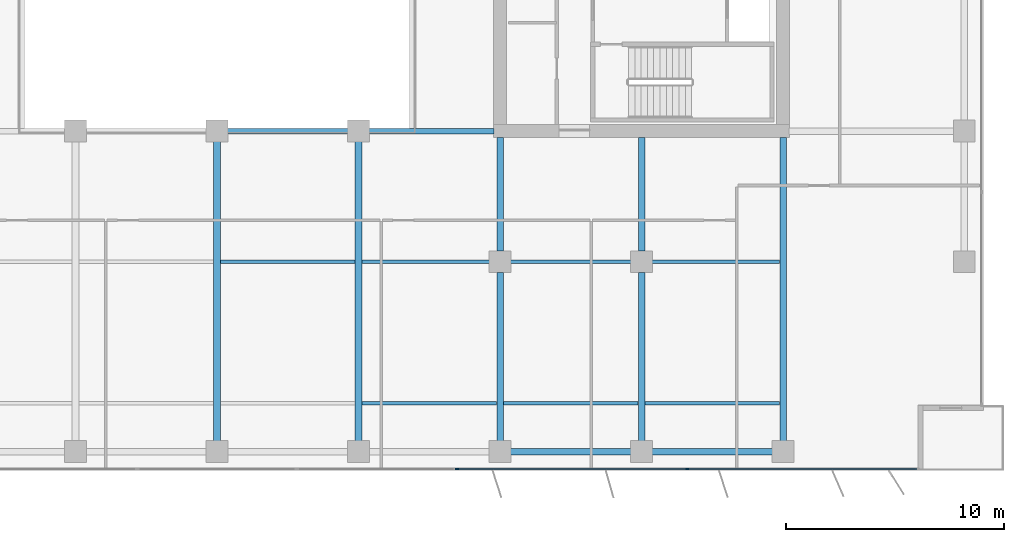
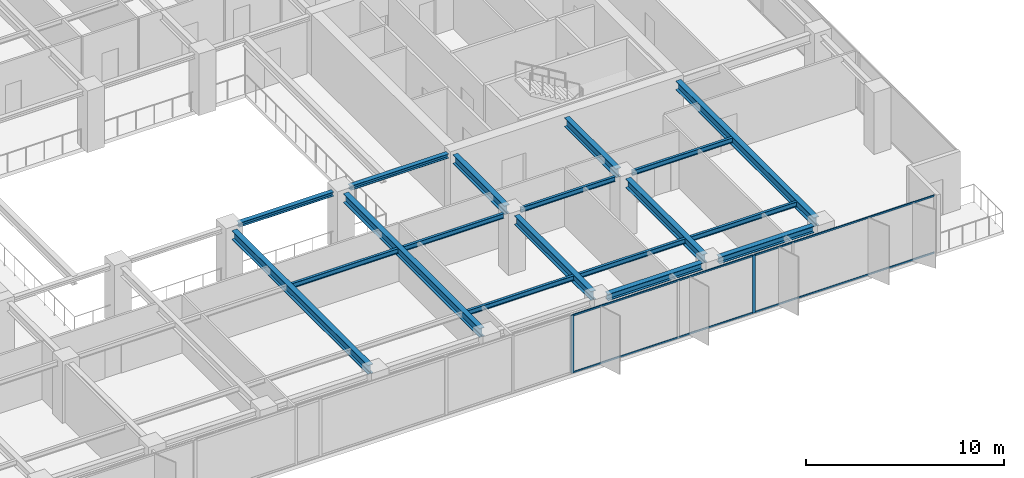
# One storey, part 6 of 22: 18 beams, 6 members, 1 element without a shape of its own.
"""IFC4 building model written with IfcOpenShell, lengths in metres."""

import ifcopenshell
import ifcopenshell.guid

model = None  # the IFC model being written
_history = None  # IfcOwnerHistory: only IFC2X3 demands one
_inside = {}  # id of a spatial element -> (the spatial element, [elements in it])
_under = {}  # id of a project, library or spatial element -> (it, [spatial elements below it])
_declared = {}  # id of a project -> (the project, [libraries it declares])
_typed = {}  # id of a type object -> (the type object, [elements of that type])
_made_of = {}  # id of a material, layer set ... -> (it, [elements and type objects made of it])


def new_model(schema):
    """Start an empty IFC model of exactly this schema.

    Asked for "IFC4X3", IfcOpenShell would pick the latest addendum, in which some entities
    have other attributes; the version numbers below select the first issue.
    IFC2X3 requires an IfcOwnerHistory on every rooted entity: one is made here for all.
    """
    global model, _history
    if schema == "IFC4X3":
        model = ifcopenshell.file(schema_version=(4, 3, 0, 0))
    else:
        model = ifcopenshell.file(schema=schema)
    _inside.clear()
    _under.clear()
    _declared.clear()
    _typed.clear()
    _made_of.clear()
    _history = None
    if model.schema == "IFC2X3":
        org = make("IfcOrganization", Name="unknown")
        user = make(
            "IfcPersonAndOrganization",
            ThePerson=make("IfcPerson", FamilyName="unknown"),
            TheOrganization=org,
        )
        app = make(
            "IfcApplication",
            ApplicationDeveloper=org,
            Version="unknown",
            ApplicationFullName="unknown",
            ApplicationIdentifier="unknown",
        )
        _history = make(
            "IfcOwnerHistory",
            OwningUser=user,
            OwningApplication=app,
            ChangeAction="ADDED",
            CreationDate=0,
        )
    return model


def make(cls, **values):
    """One entity of the class cls with the attributes given. An attribute that is None is left unset."""
    return model.create_entity(
        cls, **{name: value for name, value in values.items() if value is not None}
    )


def rooted(cls, **values):
    """An entity with a GlobalId (a new one), such as an element, a storey or a relation."""
    return make(cls, GlobalId=ifcopenshell.guid.new(), OwnerHistory=_history, **values)


def si_unit(unit_type, name, prefix=None):
    """IfcSIUnit, for example si_unit("LENGTHUNIT", "METRE", prefix="MILLI")."""
    return make("IfcSIUnit", UnitType=unit_type, Prefix=prefix, Name=name)


def assignment(units):
    """IfcUnitAssignment: the units of a project."""
    return None if units is None else make("IfcUnitAssignment", Units=units)


def point(xyz):
    """IfcCartesianPoint."""
    return None if xyz is None else make("IfcCartesianPoint", Coordinates=xyz)


def direction(xyz):
    """IfcDirection."""
    return None if xyz is None else make("IfcDirection", DirectionRatios=xyz)


def frame(location, z_axis=None, x_axis=None):
    """IfcAxis2Placement3D, a coordinate frame: its origin and axes. An axis left out is left unset."""
    return make(
        "IfcAxis2Placement3D",
        Location=point(location),
        Axis=direction(z_axis),
        RefDirection=direction(x_axis),
    )


def frame_2d(location, x_axis=None):
    """IfcAxis2Placement2D, a coordinate frame in the plane: its origin and x axis."""
    return make(
        "IfcAxis2Placement2D", Location=point(location), RefDirection=direction(x_axis)
    )


def origin():
    """The frame at (0, 0, 0) with its axes left unset."""
    return frame((0.0, 0.0, 0.0))


def origin_2d():
    """The frame at (0, 0) in the plane with its x axis left unset."""
    return frame_2d((0.0, 0.0))


def place(relative_to, where):
    """IfcLocalPlacement: puts the frame where relative to a parent placement (None: the world)."""
    return make(
        "IfcLocalPlacement", PlacementRelTo=relative_to, RelativePlacement=where
    )


def context(
    kind, dimensions, precision=None, world=None, true_north=None, identifier=None
):
    """IfcGeometricRepresentationContext, for example the 3D "Model" context."""
    return make(
        "IfcGeometricRepresentationContext",
        ContextIdentifier=identifier,
        ContextType=kind,
        CoordinateSpaceDimension=dimensions,
        Precision=precision,
        WorldCoordinateSystem=world,
        TrueNorth=true_north,
    )


def subcontext(parent, identifier, kind, view, scale=None):
    """IfcGeometricRepresentationSubContext, for example "Body" below "Model"."""
    return make(
        "IfcGeometricRepresentationSubContext",
        ContextIdentifier=identifier,
        ContextType=kind,
        ParentContext=parent,
        TargetScale=scale,
        TargetView=view,
    )


def project(units=None, contexts=None):
    """IfcProject with its units and contexts."""
    return rooted(
        "IfcProject",
        Name="project",
        RepresentationContexts=contexts,
        UnitsInContext=assignment(units),
    )


def spatial(cls, under=None, at=None, **own):
    """A site, building, storey or space (cls), placed at a placement, below another one or the project."""
    s = rooted(cls, ObjectPlacement=at, **own)
    if under is not None:
        _under.setdefault(under.id(), (under, []))[1].append(s)
    return s


def profile(cls, at=None, kind="AREA", **sizes):
    """A parametric profile (cls). Its sizes go by their IFC names, for example OverallWidth=200.0."""
    return make(cls, ProfileType=kind, Position=at, **sizes)


def rectangle(**sizes):
    """IfcRectangleProfileDef."""
    return profile("IfcRectangleProfileDef", **sizes)


def i_section(**sizes):
    """IfcIShapeProfileDef."""
    return profile("IfcIShapeProfileDef", **sizes)


def extrude(swept, where, along, depth):
    """IfcExtrudedAreaSolid: the profile swept, set in the frame where, extruded along a direction by depth."""
    return make(
        "IfcExtrudedAreaSolid",
        SweptArea=swept,
        Position=where,
        ExtrudedDirection=direction(along),
        Depth=depth,
    )


def shape(context_of_items, identifier, shape_type, items):
    """IfcShapeRepresentation: the items that make up one representation, for example the "Body"."""
    return make(
        "IfcShapeRepresentation",
        ContextOfItems=context_of_items,
        RepresentationIdentifier=identifier,
        RepresentationType=shape_type,
        Items=items,
    )


def material(Name=None, Category=None):
    """IfcMaterial."""
    return make("IfcMaterial", Name=Name, Category=Category)


def layer(
    of_material, thickness, ventilated=None, Name=None, Category=None, Priority=None
):
    """IfcMaterialLayer: one layer of a wall or slab, of a material (None: an air gap)."""
    return make(
        "IfcMaterialLayer",
        Material=of_material,
        LayerThickness=thickness,
        IsVentilated=ventilated,
        Name=Name,
        Category=Category,
        Priority=Priority,
    )


def layer_set(layers, Name=None):
    """IfcMaterialLayerSet."""
    return make("IfcMaterialLayerSet", MaterialLayers=layers, LayerSetName=Name)


def material_profile(
    of_material, cross_section, Name=None, Category=None, Priority=None
):
    """IfcMaterialProfile: a cross section and its material."""
    return make(
        "IfcMaterialProfile",
        Name=Name,
        Material=of_material,
        Profile=cross_section,
        Priority=Priority,
        Category=Category,
    )


def profile_set(profiles, Name=None, composite=None):
    """IfcMaterialProfileSet."""
    return make(
        "IfcMaterialProfileSet",
        Name=Name,
        MaterialProfiles=profiles,
        CompositeProfile=composite,
    )


def made_of(thing, what):
    """Note that an element or type object is made of a material, layer set ...; save() writes the relation."""
    if what is not None:
        _made_of.setdefault(what.id(), (what, []))[1].append(thing)
    return thing


def type_object(cls, material=None, **own):
    """A type object (cls), such as IfcWallType, which elements share."""
    return made_of(rooted(cls, **own), material)


def element(
    cls,
    number,
    at=None,
    inside=None,
    cuts=None,
    type_object=None,
    material=None,
    context=None,
    identifier="Body",
    shape_type=None,
    held_by="IfcProductDefinitionShape",
    body=None,
    shapes=None,
    **own,
):
    """One element of the class cls, such as IfcWall. Its Tag is "e" and its number.

    at: its placement. inside: the storey or other place that contains it. cuts: it is an
    opening in that element (IfcRelVoidsElement). A single representation is given by context,
    identifier, shape_type and body (its items); several are given by shapes. held_by: the class
    of the entity that holds the representations. save() writes the other relations.
    """
    e = rooted(cls, Tag="e%d" % number, ObjectPlacement=at, **own)
    if body is not None:
        shapes = [shape(context, identifier, shape_type, body)]
    if shapes is not None:
        e.Representation = make(held_by, Representations=shapes)
    if inside is not None:
        _inside.setdefault(inside.id(), (inside, []))[1].append(e)
    if cuts is not None:
        rooted(
            "IfcRelVoidsElement", RelatingBuildingElement=cuts, RelatedOpeningElement=e
        )
    if type_object is not None:
        _typed.setdefault(type_object.id(), (type_object, []))[1].append(e)
    return made_of(e, material)


def aggregate(whole, parts):
    """IfcRelAggregates: a whole, such as a stair, and the parts it consists of."""
    return rooted("IfcRelAggregates", RelatingObject=whole, RelatedObjects=parts)


def save(model, path):
    """Write the relations noted so far, then the file.

    IfcRelAggregates (storeys below a building ...), IfcRelContainedInSpatialStructure (elements
    in a storey), IfcRelDefinesByType, IfcRelAssociatesMaterial and IfcRelDeclares: one each for
    every whole, place, type object, material and project.
    """
    for whole, parts in _under.values():
        aggregate(whole, parts)
    for where, things in _inside.values():
        rooted(
            "IfcRelContainedInSpatialStructure",
            RelatedElements=things,
            RelatingStructure=where,
        )
    for kind, things in _typed.values():
        rooted("IfcRelDefinesByType", RelatedObjects=things, RelatingType=kind)
    for what, things in _made_of.values():
        rooted("IfcRelAssociatesMaterial", RelatedObjects=things, RelatingMaterial=what)
    for by, libraries in _declared.values():
        rooted("IfcRelDeclares", RelatingContext=by, RelatedDefinitions=libraries)
    model.write(path)


model = new_model("IFC4")

# Units and contexts
model_context = context("Model", 3, precision=1e-05, world=origin(), true_north=direction((0.0, 1.0)))
body_context = subcontext(model_context, "Body", "Model", "MODEL_VIEW")
ifc_project = project(units=[si_unit("LENGTHUNIT", "METRE"), si_unit("AREAUNIT", "SQUARE_METRE"), si_unit("VOLUMEUNIT", "CUBIC_METRE"), si_unit("PLANEANGLEUNIT", "RADIAN"), si_unit("MASSUNIT", "GRAM", prefix="KILO")], contexts=[model_context])

# Site, building, storey
site_placement = place(None, origin())
site = spatial("IfcSite", under=ifc_project, at=site_placement, CompositionType="ELEMENT")
building_placement = place(site_placement, origin())
building = spatial("IfcBuilding", under=site, at=building_placement, Name="Putna Gate Headquarters", CompositionType="ELEMENT")
storey_placement = place(building_placement, frame((0.0, 0.0, 186.0)))
storey = spatial("IfcBuildingStorey", under=building, at=storey_placement, Name="L46", CompositionType="ELEMENT", Elevation=186.0)

# Beams
ifc_material_1 = material(Name="Steel S355J2", Category="steel")
ifc_material_profile_1 = material_profile(ifc_material_1, i_section(OverallWidth=0.260009765625, OverallDepth=0.260009765625, WebThickness=0.010009765625, FlangeThickness=0.017578125, at=origin_2d()), Name="Steel S355J2")
ifc_profile_set_1 = profile_set([ifc_material_profile_1], Name="Steel S355J2")
beam_type_1 = type_object("IfcBeamType", Name="BM-ATRIUM-HEB260", PredefinedType="BEAM", material=ifc_profile_set_1)
beam_1_placement = place(storey_placement, frame((39.488037109375, 19.0, 3.44189453125), z_axis=(1.0, 0.0, 0.0), x_axis=(0.0, 1.0, 0.0)))
element("IfcBeam", 1, at=beam_1_placement, inside=storey, type_object=beam_type_1, Name="L46 Atrium Edge Beam AS3", PredefinedType="BEAM", context=body_context, shape_type="SweptSolid", body=[
    extrude(i_section(OverallWidth=0.260009765625, OverallDepth=0.260009765625, WebThickness=0.010009765625, FlangeThickness=0.017578125, at=origin_2d()), origin(), (0.0, 0.0, 1.0), 5.52392578125),
])
beam_2_placement = place(storey_placement, frame((45.988037109375, 19.0, 3.44189453125), z_axis=(1.0, 0.0, 0.0), x_axis=(0.0, 1.0, 0.0)))
element("IfcBeam", 2, at=beam_2_placement, inside=storey, type_object=beam_type_1, Name="L46 Atrium Edge Beam AS4", PredefinedType="BEAM", context=body_context, shape_type="SweptSolid", body=[
    extrude(i_section(OverallWidth=0.260009765625, OverallDepth=0.260009765625, WebThickness=0.010009765625, FlangeThickness=0.017578125, at=origin_2d()), origin(), (0.0, 0.0, 1.0), 5.72705078125),
])
ifc_material_profile_2 = material_profile(ifc_material_1, i_section(OverallWidth=0.300048828125, OverallDepth=0.550048828125, WebThickness=0.014892578125, FlangeThickness=0.029052734375, at=origin_2d()), Name="Steel S355J2")
ifc_profile_set_2 = profile_set([ifc_material_profile_2], Name="Steel S355J2")
beam_type_2 = type_object("IfcBeamType", Name="BM-GIRD-Z3-HEB550", PredefinedType="USERDEFINED", material=ifc_profile_set_2)
for number, where, z_axis, x_axis, name in (
    (3, (39.0, 4.76806640625, 3.297119140625), (0.0, 1.0, 0.0), (-1.0, 0.0, 0.0), "L46 South Primary Girder X39"),
    (4, (45.5, 4.76806640625, 3.297119140625), (0.0, 1.0, 0.0), (-1.0, 0.0, 0.0), "L46 South Primary Girder X45"),
):
    element("IfcBeam", number, at=place(storey_placement, frame(where, z_axis=z_axis, x_axis=x_axis)), inside=storey, type_object=beam_type_2, Name=name, ObjectType="GIRDER", PredefinedType="USERDEFINED", context=body_context, shape_type="SweptSolid", body=[
        extrude(i_section(OverallWidth=0.300048828125, OverallDepth=0.550048828125, WebThickness=0.014892578125, FlangeThickness=0.029052734375, at=origin_2d()), origin(), (0.0, 0.0, 1.0), 13.743896484375),
    ])
beam_3_placement = place(storey_placement, frame((52.0, 4.76806640625, 3.297119140625), z_axis=(0.0, 1.0, 0.0), x_axis=(-1.0, 0.0, 0.0)))
element("IfcBeam", 5, at=beam_3_placement, inside=storey, type_object=beam_type_2, Name="L46 South Primary Girder X52-1", ObjectType="GIRDER", PredefinedType="USERDEFINED", context=body_context, shape_type="SweptSolid", body=[
    extrude(i_section(OverallWidth=0.300048828125, OverallDepth=0.550048828125, WebThickness=0.014892578125, FlangeThickness=0.029052734375, at=origin_2d()), origin(), (0.0, 0.0, 1.0), 7.743896484375),
])
beam_4_placement = place(storey_placement, frame((52.0, 13.488037109375, 3.297119140625), z_axis=(0.0, 1.0, 0.0), x_axis=(-1.0, 0.0, 0.0)))
element("IfcBeam", 6, at=beam_4_placement, inside=storey, type_object=beam_type_2, Name="L46 South Primary Girder X52-2", ObjectType="GIRDER", PredefinedType="USERDEFINED", context=body_context, shape_type="SweptSolid", body=[
    extrude(i_section(OverallWidth=0.300048828125, OverallDepth=0.550048828125, WebThickness=0.014892578125, FlangeThickness=0.029052734375, at=origin_2d()), origin(), (0.0, 0.0, 1.0), 5.22705078125),
])
beam_5_placement = place(storey_placement, frame((58.5, 4.76806640625, 3.297119140625), z_axis=(0.0, 1.0, 0.0), x_axis=(-1.0, 0.0, 0.0)))
element("IfcBeam", 7, at=beam_5_placement, inside=storey, type_object=beam_type_2, Name="L46 South Primary Girder X58-1", ObjectType="GIRDER", PredefinedType="USERDEFINED", context=body_context, shape_type="SweptSolid", body=[
    extrude(i_section(OverallWidth=0.300048828125, OverallDepth=0.550048828125, WebThickness=0.014892578125, FlangeThickness=0.029052734375, at=origin_2d()), origin(), (0.0, 0.0, 1.0), 7.743896484375),
])
beam_6_placement = place(storey_placement, frame((58.5, 13.488037109375, 3.297119140625), z_axis=(0.0, 1.0, 0.0), x_axis=(-1.0, 0.0, 0.0)))
element("IfcBeam", 8, at=beam_6_placement, inside=storey, type_object=beam_type_2, Name="L46 South Primary Girder X58-2", ObjectType="GIRDER", PredefinedType="USERDEFINED", context=body_context, shape_type="SweptSolid", body=[
    extrude(i_section(OverallWidth=0.300048828125, OverallDepth=0.550048828125, WebThickness=0.014892578125, FlangeThickness=0.029052734375, at=origin_2d()), origin(), (0.0, 0.0, 1.0), 5.22705078125),
])
beam_7_placement = place(storey_placement, frame((65.0, 4.76806640625, 3.297119140625), z_axis=(0.0, 1.0, 0.0), x_axis=(-1.0, 0.0, 0.0)))
element("IfcBeam", 9, at=beam_7_placement, inside=storey, type_object=beam_type_2, Name="L46 South Primary Girder X65", ObjectType="GIRDER", PredefinedType="USERDEFINED", context=body_context, shape_type="SweptSolid", body=[
    extrude(i_section(OverallWidth=0.300048828125, OverallDepth=0.550048828125, WebThickness=0.014892578125, FlangeThickness=0.029052734375, at=origin_2d()), origin(), (0.0, 0.0, 1.0), 13.947021484375),
])
ifc_material_profile_3 = material_profile(ifc_material_1, i_section(OverallWidth=0.14990234375, OverallDepth=0.300048828125, WebThickness=0.007080078125, FlangeThickness=0.0107421875, at=origin_2d()), Name="Steel S355J2")
ifc_profile_set_3 = profile_set([ifc_material_profile_3], Name="Steel S355J2")
beam_type_3 = type_object("IfcBeamType", Name="BM-SEC-Z3-IPE300", PredefinedType="JOIST", material=ifc_profile_set_3)
for number, where, z_axis, x_axis, name in (
    (10, (39.154052734375, 13.0, 3.422119140625), (1.0, 0.0, 0.0), (0.0, 1.0, 0.0), "L46 South Secondary Beam 5"),
    (11, (45.654052734375, 6.5, 3.422119140625), (1.0, 0.0, 0.0), (0.0, 1.0, 0.0), "L46 South Secondary Beam 6"),
):
    element("IfcBeam", number, at=place(storey_placement, frame(where, z_axis=z_axis, x_axis=x_axis)), inside=storey, type_object=beam_type_3, Name=name, PredefinedType="JOIST", context=body_context, shape_type="SweptSolid", body=[
        extrude(i_section(OverallWidth=0.14990234375, OverallDepth=0.300048828125, WebThickness=0.007080078125, FlangeThickness=0.0107421875, at=origin_2d()), origin(), (0.0, 0.0, 1.0), 6.19189453125),
    ])
beam_8_placement = place(storey_placement, frame((45.654052734375, 13.0, 3.422119140625), z_axis=(1.0, 0.0, 0.0), x_axis=(0.0, 1.0, 0.0)))
element("IfcBeam", 12, at=beam_8_placement, inside=storey, type_object=beam_type_3, Name="L46 South Secondary Beam 6", PredefinedType="JOIST", context=body_context, shape_type="SweptSolid", body=[
    extrude(i_section(OverallWidth=0.14990234375, OverallDepth=0.300048828125, WebThickness=0.007080078125, FlangeThickness=0.0107421875, at=origin_2d()), origin(), (0.0, 0.0, 1.0), 5.85791015625),
])
beam_9_placement = place(storey_placement, frame((52.154052734375, 6.5, 3.422119140625), z_axis=(1.0, 0.0, 0.0), x_axis=(0.0, 1.0, 0.0)))
element("IfcBeam", 13, at=beam_9_placement, inside=storey, type_object=beam_type_3, Name="L46 South Secondary Beam 7", PredefinedType="JOIST", context=body_context, shape_type="SweptSolid", body=[
    extrude(i_section(OverallWidth=0.14990234375, OverallDepth=0.300048828125, WebThickness=0.007080078125, FlangeThickness=0.0107421875, at=origin_2d()), origin(), (0.0, 0.0, 1.0), 6.19189453125),
])
beam_10_placement = place(storey_placement, frame((52.488037109375, 13.0, 3.422119140625), z_axis=(1.0, 0.0, 0.0), x_axis=(0.0, 1.0, 0.0)))
element("IfcBeam", 14, at=beam_10_placement, inside=storey, type_object=beam_type_3, Name="L46 South Secondary Beam 7", PredefinedType="JOIST", context=body_context, shape_type="SweptSolid", body=[
    extrude(i_section(OverallWidth=0.14990234375, OverallDepth=0.300048828125, WebThickness=0.007080078125, FlangeThickness=0.0107421875, at=origin_2d()), origin(), (0.0, 0.0, 1.0), 5.52392578125),
])
beam_11_placement = place(storey_placement, frame((58.654052734375, 6.5, 3.422119140625), z_axis=(1.0, 0.0, 0.0), x_axis=(0.0, 1.0, 0.0)))
element("IfcBeam", 15, at=beam_11_placement, inside=storey, type_object=beam_type_3, Name="L46 South Secondary Beam 8", PredefinedType="JOIST", context=body_context, shape_type="SweptSolid", body=[
    extrude(i_section(OverallWidth=0.14990234375, OverallDepth=0.300048828125, WebThickness=0.007080078125, FlangeThickness=0.0107421875, at=origin_2d()), origin(), (0.0, 0.0, 1.0), 6.19189453125),
])
beam_12_placement = place(storey_placement, frame((58.988037109375, 13.0, 3.422119140625), z_axis=(1.0, 0.0, 0.0), x_axis=(0.0, 1.0, 0.0)))
element("IfcBeam", 16, at=beam_12_placement, inside=storey, type_object=beam_type_3, Name="L46 South Secondary Beam 8", PredefinedType="JOIST", context=body_context, shape_type="SweptSolid", body=[
    extrude(i_section(OverallWidth=0.14990234375, OverallDepth=0.300048828125, WebThickness=0.007080078125, FlangeThickness=0.0107421875, at=origin_2d()), origin(), (0.0, 0.0, 1.0), 5.85791015625),
])
ifc_material_profile_4 = material_profile(ifc_material_1, i_section(OverallWidth=0.300048828125, OverallDepth=0.39990234375, WebThickness=0.013427734375, FlangeThickness=0.02392578125, at=origin_2d()), Name="Steel S355J2")
ifc_profile_set_4 = profile_set([ifc_material_profile_4], Name="Steel S355J2")
beam_type_4 = type_object("IfcBeamType", Name="BM-SPAN-Z3-HEB400", PredefinedType="SPANDREL", material=ifc_profile_set_4)
for number, where, z_axis, x_axis, name in (
    (17, (52.488037109375, 4.280029296875, 3.3720703125), (1.0, 0.0, 0.0), (0.0, 1.0, 0.0), "L46 S Perimeter Spandrel 7"),
    (18, (58.988037109375, 4.280029296875, 3.3720703125), (1.0, 0.0, 0.0), (0.0, 1.0, 0.0), "L46 S Perimeter Spandrel 8"),
):
    element("IfcBeam", number, at=place(storey_placement, frame(where, z_axis=z_axis, x_axis=x_axis)), inside=storey, type_object=beam_type_4, Name=name, PredefinedType="SPANDREL", context=body_context, shape_type="SweptSolid", body=[
        extrude(i_section(OverallWidth=0.300048828125, OverallDepth=0.39990234375, WebThickness=0.013427734375, FlangeThickness=0.02392578125, at=origin_2d()), origin(), (0.0, 0.0, 1.0), 5.52392578125),
    ])

# Curtain wall, members
ifc_material_2 = material(Name="Anodised bronze aluminium curtain wall", Category="aluminium")
ifc_layer = layer(ifc_material_2, 0.159912109375)
ifc_layer_set = layer_set([ifc_layer], Name="Anodised bronze aluminium curtain wall")
curtain_wall_type = type_object("IfcCurtainWallType", Name="CW-SYS-Z3", PredefinedType="USERDEFINED", material=ifc_layer_set)
curtain_wall_placement = place(storey_placement, origin())
curtain_wall = element("IfcCurtainWall", 19, at=curtain_wall_placement, inside=storey, type_object=curtain_wall_type, Name="L46 South East Curtain Wall", ObjectType="STICK CURTAIN WALL", PredefinedType="USERDEFINED")
ifc_material_3 = material(Name="Anodised bronze aluminium EN AW-6060", Category="aluminium")
ifc_material_profile_5 = material_profile(ifc_material_3, rectangle(XDim=0.06494140625, YDim=0.159912109375, at=origin_2d()), Name="Anodised bronze aluminium EN AW-6060")
ifc_profile_set_5 = profile_set([ifc_material_profile_5], Name="Anodised bronze aluminium EN AW-6060")
member_type_1 = type_object("IfcMemberType", Name="MULL-CWM-3", PredefinedType="MULLION", material=ifc_profile_set_5)
member_1_placement = place(storey_placement, frame((50.032470703125, 3.47998046875, 0.0), z_axis=(0.0, 0.0, 1.0), x_axis=(0.0, 1.0, 0.0)))
member_1 = element("IfcMember", 20, at=member_1_placement, type_object=member_type_1, Name="CWS-3 mullion 1", PredefinedType="MULLION", context=body_context, shape_type="SweptSolid", body=[
    extrude(rectangle(XDim=0.06494140625, YDim=0.159912109375, at=origin_2d()), origin(), (0.0, 0.0, 1.0), 3.572021484375),
])
member_2_placement = place(storey_placement, frame((60.60009765625, 3.47998046875, 0.0), z_axis=(0.0, 0.0, 1.0), x_axis=(0.0, 1.0, 0.0)))
member_2 = element("IfcMember", 21, at=member_2_placement, type_object=member_type_1, Name="CWS-3 mullion 2", PredefinedType="MULLION", context=body_context, shape_type="SweptSolid", body=[
    extrude(rectangle(XDim=0.06494140625, YDim=0.159912109375, at=origin_2d()), origin(), (0.0, 0.0, 1.0), 3.572021484375),
])
ifc_material_profile_6 = material_profile(ifc_material_3, rectangle(XDim=0.06005859375, YDim=0.10009765625, at=origin_2d()), Name="Anodised bronze aluminium EN AW-6060")
ifc_profile_set_6 = profile_set([ifc_material_profile_6], Name="Anodised bronze aluminium EN AW-6060")
member_type_2 = type_object("IfcMemberType", Name="TRAN-CWT-3", PredefinedType="USERDEFINED", material=ifc_profile_set_6)
member_3_placement = place(storey_placement, frame((50.06494140625, 3.47998046875, 0.030029296875), z_axis=(1.0, 0.0, 0.0), x_axis=(0.0, 1.0, 0.0)))
member_3 = element("IfcMember", 22, at=member_3_placement, type_object=member_type_2, Name="CWS-3 transom 1.1", ObjectType="TRANSOM", PredefinedType="USERDEFINED", context=body_context, shape_type="SweptSolid", body=[
    extrude(rectangle(XDim=0.06005859375, YDim=0.10009765625, at=origin_2d()), origin(), (0.0, 0.0, 1.0), 10.50244140625),
])
member_4_placement = place(storey_placement, frame((50.06494140625, 3.47998046875, 3.5419921875), z_axis=(1.0, 0.0, 0.0), x_axis=(0.0, 1.0, 0.0)))
member_4 = element("IfcMember", 23, at=member_4_placement, type_object=member_type_2, Name="CWS-3 transom 1.2", ObjectType="TRANSOM", PredefinedType="USERDEFINED", context=body_context, shape_type="SweptSolid", body=[
    extrude(rectangle(XDim=0.06005859375, YDim=0.10009765625, at=origin_2d()), origin(), (0.0, 0.0, 1.0), 10.50244140625),
])
member_5_placement = place(storey_placement, frame((60.632568359375, 3.47998046875, 0.030029296875), z_axis=(1.0, 0.0, 0.0), x_axis=(0.0, 1.0, 0.0)))
member_5 = element("IfcMember", 24, at=member_5_placement, type_object=member_type_2, Name="CWS-3 transom 2.1", ObjectType="TRANSOM", PredefinedType="USERDEFINED", context=body_context, shape_type="SweptSolid", body=[
    extrude(rectangle(XDim=0.06005859375, YDim=0.10009765625, at=origin_2d()), origin(), (0.0, 0.0, 1.0), 10.50244140625),
])
member_6_placement = place(storey_placement, frame((60.632568359375, 3.47998046875, 3.5419921875), z_axis=(1.0, 0.0, 0.0), x_axis=(0.0, 1.0, 0.0)))
member_6 = element("IfcMember", 25, at=member_6_placement, type_object=member_type_2, Name="CWS-3 transom 2.2", ObjectType="TRANSOM", PredefinedType="USERDEFINED", context=body_context, shape_type="SweptSolid", body=[
    extrude(rectangle(XDim=0.06005859375, YDim=0.10009765625, at=origin_2d()), origin(), (0.0, 0.0, 1.0), 10.50244140625),
])
aggregate(curtain_wall, [member_1, member_2, member_3, member_4, member_5, member_6])

save(model, "model.ifc")
